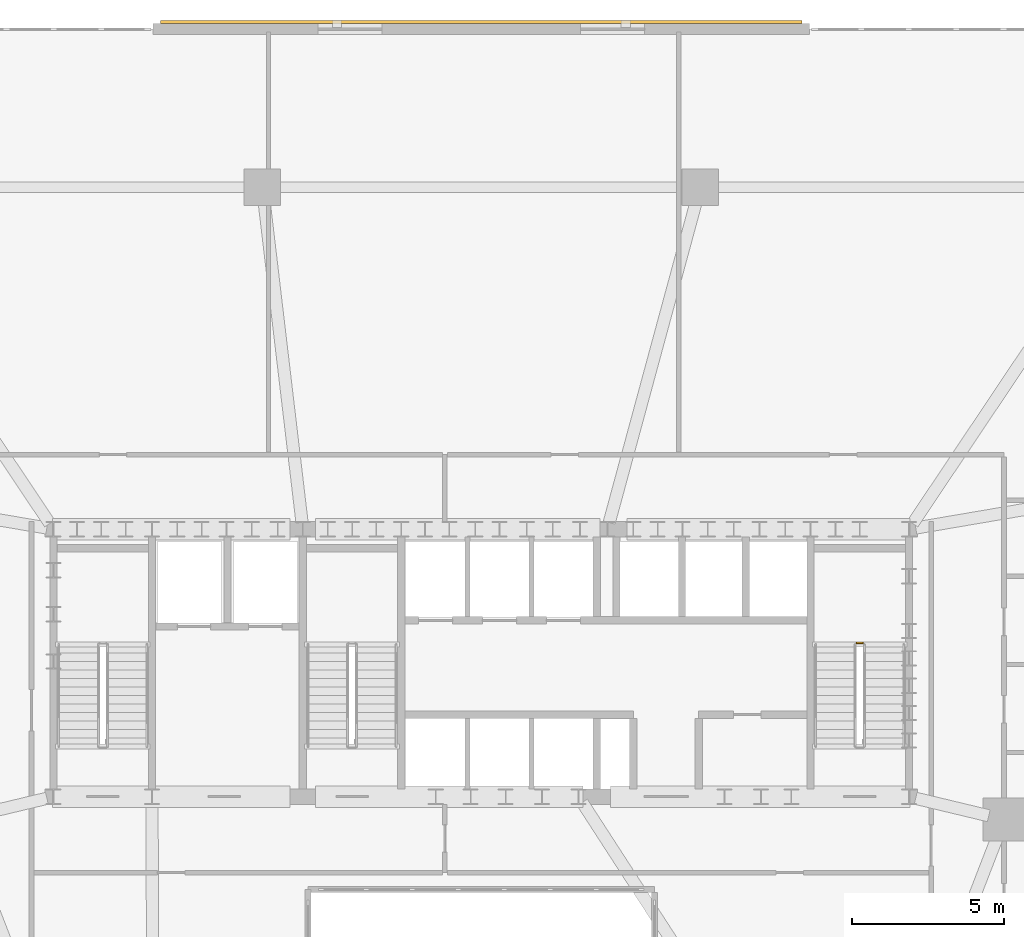
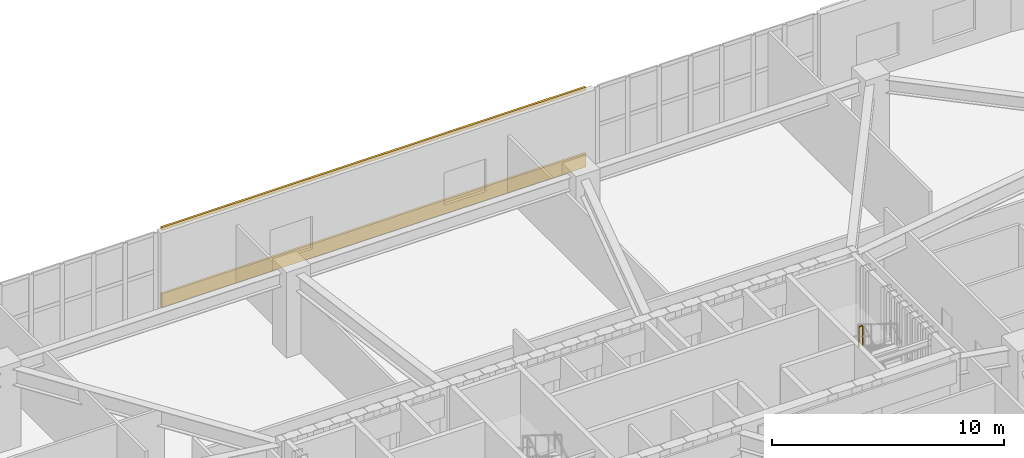
# One storey, part 24 of 25: 2 coverings, 1 railing.
"""IFC4 building model written with IfcOpenShell, lengths in metres."""

from ifc_helpers import new_model, si_unit, direction, frame, origin, origin_2d, place, context, subcontext, project, spatial, polyline, rectangle, outline, extrude, material, layer, layer_set, type_object, element, save


model = new_model("IFC4")

# Units and contexts
model_context = context("Model", 3, precision=1e-05, world=origin(), true_north=direction((0.0, 1.0)))
body_context = subcontext(model_context, "Body", "Model", "MODEL_VIEW")
ifc_project = project(units=[si_unit("LENGTHUNIT", "METRE"), si_unit("AREAUNIT", "SQUARE_METRE"), si_unit("VOLUMEUNIT", "CUBIC_METRE"), si_unit("PLANEANGLEUNIT", "RADIAN"), si_unit("MASSUNIT", "GRAM", prefix="KILO")], contexts=[model_context])

# Site, building, storey
site_placement = place(None, origin())
site = spatial("IfcSite", under=ifc_project, at=site_placement, CompositionType="ELEMENT")
building_placement = place(site_placement, origin())
building = spatial("IfcBuilding", under=site, at=building_placement, Name="Haldorwick Loom Tower", CompositionType="ELEMENT")
storey_placement = place(building_placement, frame((0.0, 0.0, 6.0)))
storey = spatial("IfcBuildingStorey", under=building, at=storey_placement, Name="L01", CompositionType="ELEMENT", Elevation=6.0)

# Coverings
ifc_material_1 = material(Name="Corbelled Pressed Clay Face Brick Veneer", Category="masonry")
ifc_layer = layer(ifc_material_1, 0.110107421875, Name="Corbelled Pressed Clay Face Brick Veneer", Category="masonry")
ifc_layer_set = layer_set([ifc_layer], Name="Corbelled Pressed Clay Face Brick Veneer")
covering_type = type_object("IfcCoveringType", Name="ARC-COV-BRICK110", PredefinedType="CLADDING", material=ifc_layer_set)
covering_1_placement = place(storey_placement, origin())
element("IfcCovering", 1, at=covering_1_placement, inside=storey, type_object=covering_type, Name="L01 Sill Face-Brick Spandrel 19", PredefinedType="CLADDING", context=body_context, shape_type="SweptSolid", body=[
    extrude(outline(polyline([(46.550048828125, 52.2900390625), (25.449951171875, 52.2900390625), (25.449951171875, 52.179931640625), (46.550048828125, 52.179931640625), (46.550048828125, 52.2900390625)])), origin(), (0.0, 0.0, 1.0), 0.719970703125),
])
covering_2_placement = place(storey_placement, frame((0.0, 0.0, 4.0400390625)))
element("IfcCovering", 2, at=covering_2_placement, inside=storey, type_object=covering_type, Name="L01 Head Face-Brick Lintel Band 19", PredefinedType="CLADDING", context=body_context, shape_type="SweptSolid", body=[
    extrude(outline(polyline([(46.550048828125, 52.2900390625), (25.449951171875, 52.2900390625), (25.449951171875, 52.179931640625), (46.550048828125, 52.179931640625), (46.550048828125, 52.2900390625)])), origin(), (0.0, 0.0, 1.0), 0.159912109375),
])

# Railing
ifc_material_2 = material(Name="Steel CSA G40.21 350W", Category="steel")
railing_type = type_object("IfcRailingType", Name="ARC-RLG-GUARD112", PredefinedType="GUARDRAIL", material=ifc_material_2)
railing_placement = place(storey_placement, frame((48.550048828125, 31.81005859375, 2.25)))
element("IfcRailing", 3, at=railing_placement, inside=storey, type_object=railing_type, Name="L01 ST-02 stair guard 2", PredefinedType="GUARDRAIL", context=body_context, shape_type="SweptSolid", body=[
    extrude(rectangle(XDim=0.048095703125, YDim=0.048095703125, at=origin_2d()), frame((0.0, 0.0, 1.076171875), z_axis=(-1.0, 0.0, 0.0), x_axis=(0.0, -1.0, 0.0)), (0.0, 0.0, 1.0), 0.199951171875),
    extrude(rectangle(XDim=0.0419921875, YDim=0.0419921875, at=origin_2d()), origin(), (0.0, 0.0, 1.0), 1.052001953125),
    extrude(rectangle(XDim=0.0419921875, YDim=0.0419921875, at=origin_2d()), frame((-0.199951171875, 0.0, 0.0)), (0.0, 0.0, 1.0), 1.052001953125),
])

save(model, "model.ifc")
